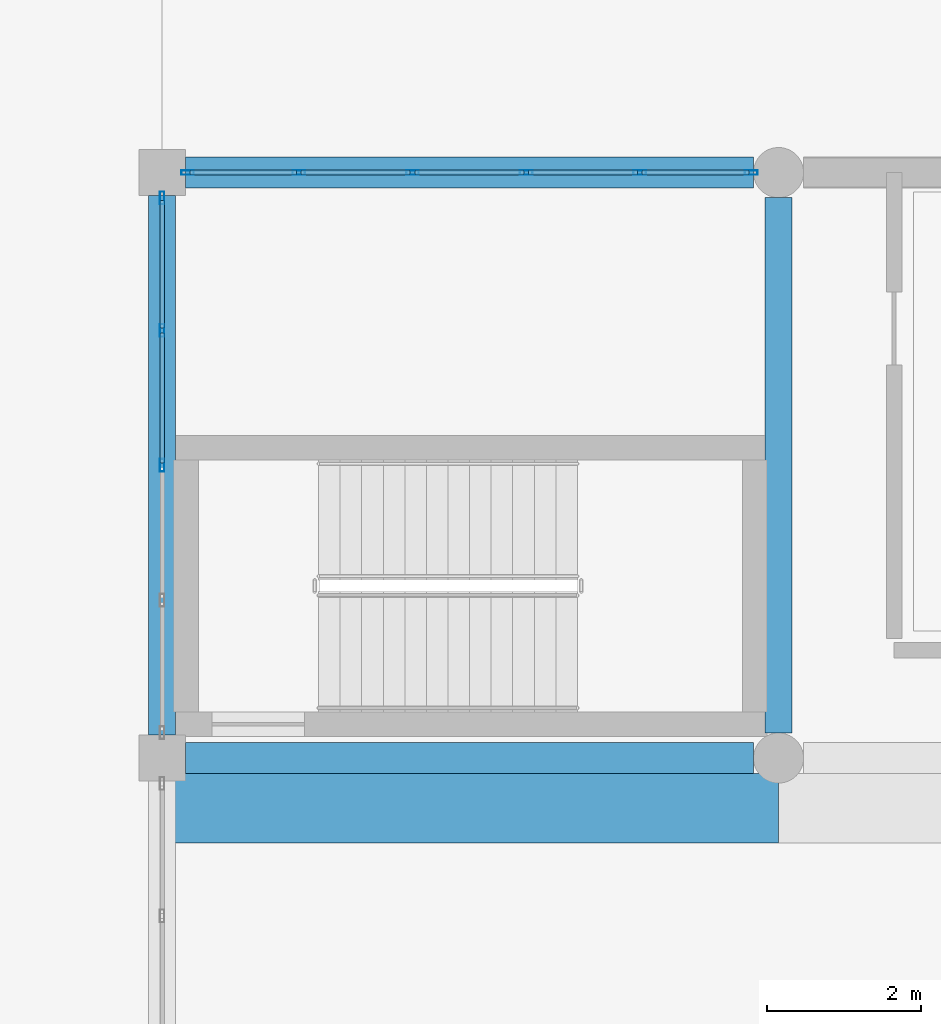
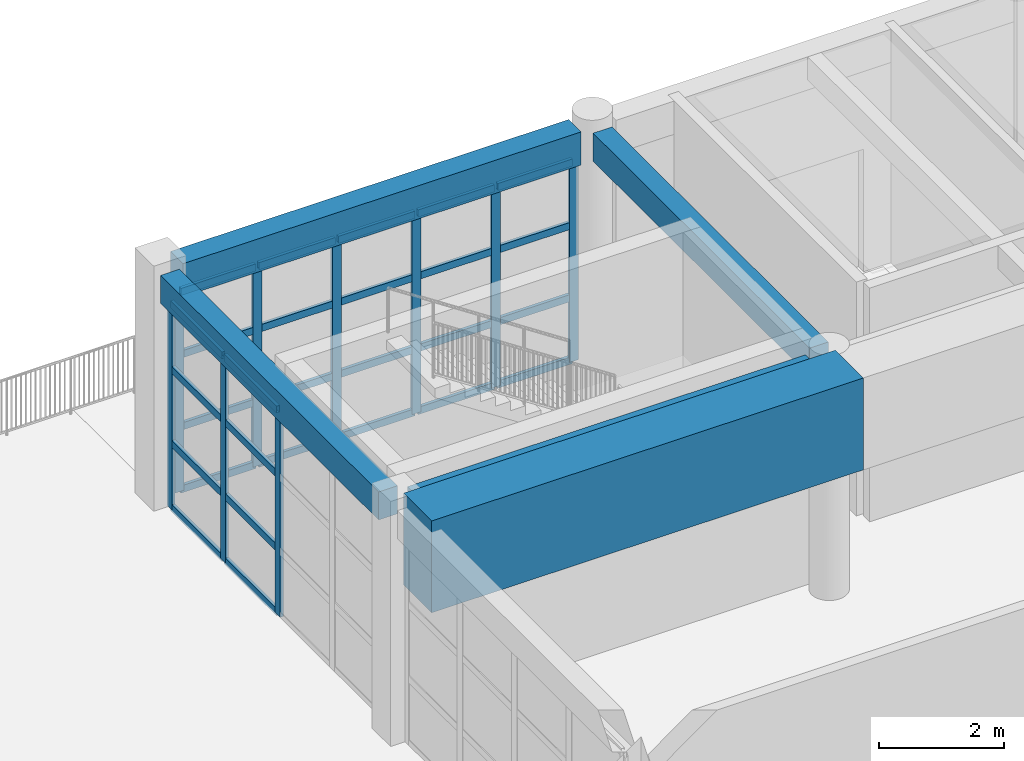
# One storey, part 10 of 32: 37 members, 5 beams, 2 elements without a shape of their own.
"""IFC4 building model written with IfcOpenShell, lengths in metres."""

from ifc_helpers import new_model, si_unit, direction, frame, origin, origin_2d, place, context, subcontext, project, spatial, rectangle, hollow_rectangle, extrude, material, material_profile, profile_set, type_object, element, aggregate, save


model = new_model("IFC4")

# Units and contexts
model_context = context("Model", 3, precision=1e-05, world=origin(), true_north=direction((0.0, 1.0)))
body_context = subcontext(model_context, "Body", "Model", "MODEL_VIEW")
ifc_project = project(units=[si_unit("LENGTHUNIT", "METRE"), si_unit("AREAUNIT", "SQUARE_METRE"), si_unit("VOLUMEUNIT", "CUBIC_METRE"), si_unit("PLANEANGLEUNIT", "RADIAN"), si_unit("MASSUNIT", "GRAM", prefix="KILO")], contexts=[model_context])

# Site, building, storey
site_placement = place(None, origin())
site = spatial("IfcSite", under=ifc_project, at=site_placement, CompositionType="ELEMENT")
building_placement = place(site_placement, origin())
building = spatial("IfcBuilding", under=site, at=building_placement, Name="Zantavel Square City Hall", CompositionType="ELEMENT")
storey_placement = place(building_placement, frame((0.0, 0.0, 23.699951171875)))
storey = spatial("IfcBuildingStorey", under=building, at=storey_placement, Name="L06", CompositionType="ELEMENT", Elevation=23.699951171875)

# Curtain wall, members
ifc_material_1 = material(Name="Anodised aluminium 6063-T6", Category="aluminium")
curtain_wall_type_1 = type_object("IfcCurtainWallType", Name="Curtain Wall TRV1 7000x4030", PredefinedType="USERDEFINED", material=ifc_material_1)
curtain_wall_1_placement = place(storey_placement, origin())
curtain_wall_1 = element("IfcCurtainWall", 1, at=curtain_wall_1_placement, inside=storey, type_object=curtain_wall_type_1, Name="L06 Glazed Curtain Wall CW-L06-145", ObjectType="GLAZED CURTAIN WALL", PredefinedType="USERDEFINED")
ifc_material_profile_1 = material_profile(ifc_material_1, hollow_rectangle(XDim=0.06005859375, YDim=0.1650390625, WallThickness=0.00390625, at=origin_2d()), Name="ALU 60x165x4")
ifc_profile_set_1 = profile_set([ifc_material_profile_1], Name="Anodised aluminium 6063-T6")
member_type_1 = type_object("IfcMemberType", Name="CW Council Gallery Mullion ALU 60x165x4", PredefinedType="MULLION", material=ifc_profile_set_1)
member_1_placement = place(storey_placement, frame((64.0, 64.60009765625, 0.0), z_axis=(0.0, 0.0, 1.0), x_axis=(-1.0, 0.0, 0.0)))
member_1 = element("IfcMember", 2, at=member_1_placement, type_object=member_type_1, Name="CW-145 mullion 3", PredefinedType="MULLION", context=body_context, shape_type="SweptSolid", body=[
    extrude(hollow_rectangle(XDim=0.06005859375, YDim=0.1650390625, WallThickness=0.00390625, at=origin_2d()), origin(), (0.0, 0.0, 1.0), 4.030029296875),
])
member_2_placement = place(storey_placement, frame((64.0, 66.35009765625, 0.0), z_axis=(0.0, 0.0, 1.0), x_axis=(-1.0, 0.0, 0.0)))
member_2 = element("IfcMember", 3, at=member_2_placement, type_object=member_type_1, Name="CW-145 mullion 4", PredefinedType="MULLION", context=body_context, shape_type="SweptSolid", body=[
    extrude(hollow_rectangle(XDim=0.06005859375, YDim=0.1650390625, WallThickness=0.00390625, at=origin_2d()), origin(), (0.0, 0.0, 1.0), 4.030029296875),
])
member_3_placement = place(storey_placement, frame((64.0, 68.070068359375, 0.0), z_axis=(0.0, 0.0, 1.0), x_axis=(-1.0, 0.0, 0.0)))
member_3 = element("IfcMember", 4, at=member_3_placement, type_object=member_type_1, Name="CW-145 mullion 5", PredefinedType="MULLION", context=body_context, shape_type="SweptSolid", body=[
    extrude(hollow_rectangle(XDim=0.06005859375, YDim=0.1650390625, WallThickness=0.00390625, at=origin_2d()), origin(), (0.0, 0.0, 1.0), 4.030029296875),
])

curtain_wall_type_2 = type_object("IfcCurtainWallType", Name="Curtain Wall TRV1 7375x3930", PredefinedType="USERDEFINED", material=ifc_material_1)
curtain_wall_2_placement = place(storey_placement, origin())
curtain_wall_2 = element("IfcCurtainWall", 5, at=curtain_wall_2_placement, inside=storey, type_object=curtain_wall_type_2, Name="L06 Glazed Curtain Wall CW-L06-146", ObjectType="GLAZED CURTAIN WALL", PredefinedType="USERDEFINED")
member_4_placement = place(storey_placement, frame((64.330078125, 68.39990234375, 0.0), z_axis=(0.0, 0.0, 1.0), x_axis=(0.0, 1.0, 0.0)))
member_4 = element("IfcMember", 6, at=member_4_placement, type_object=member_type_1, Name="CW-146 mullion 1", PredefinedType="MULLION", context=body_context, shape_type="SweptSolid", body=[
    extrude(hollow_rectangle(XDim=0.06005859375, YDim=0.1650390625, WallThickness=0.00390625, at=origin_2d()), origin(), (0.0, 0.0, 1.0), 3.929931640625),
])
member_5_placement = place(storey_placement, frame((65.77490234375, 68.39990234375, 0.0), z_axis=(0.0, 0.0, 1.0), x_axis=(0.0, 1.0, 0.0)))
member_5 = element("IfcMember", 7, at=member_5_placement, type_object=member_type_1, Name="CW-146 mullion 2", PredefinedType="MULLION", context=body_context, shape_type="SweptSolid", body=[
    extrude(hollow_rectangle(XDim=0.06005859375, YDim=0.1650390625, WallThickness=0.00390625, at=origin_2d()), origin(), (0.0, 0.0, 1.0), 3.929931640625),
])
member_6_placement = place(storey_placement, frame((67.25, 68.39990234375, 0.0), z_axis=(0.0, 0.0, 1.0), x_axis=(0.0, 1.0, 0.0)))
member_6 = element("IfcMember", 8, at=member_6_placement, type_object=member_type_1, Name="CW-146 mullion 3", PredefinedType="MULLION", context=body_context, shape_type="SweptSolid", body=[
    extrude(hollow_rectangle(XDim=0.06005859375, YDim=0.1650390625, WallThickness=0.00390625, at=origin_2d()), origin(), (0.0, 0.0, 1.0), 3.929931640625),
])
member_7_placement = place(storey_placement, frame((68.72509765625, 68.39990234375, 0.0), z_axis=(0.0, 0.0, 1.0), x_axis=(0.0, 1.0, 0.0)))
member_7 = element("IfcMember", 9, at=member_7_placement, type_object=member_type_1, Name="CW-146 mullion 4", PredefinedType="MULLION", context=body_context, shape_type="SweptSolid", body=[
    extrude(hollow_rectangle(XDim=0.06005859375, YDim=0.1650390625, WallThickness=0.00390625, at=origin_2d()), origin(), (0.0, 0.0, 1.0), 3.929931640625),
])
member_8_placement = place(storey_placement, frame((70.199951171875, 68.39990234375, 0.0), z_axis=(0.0, 0.0, 1.0), x_axis=(0.0, 1.0, 0.0)))
member_8 = element("IfcMember", 10, at=member_8_placement, type_object=member_type_1, Name="CW-146 mullion 5", PredefinedType="MULLION", context=body_context, shape_type="SweptSolid", body=[
    extrude(hollow_rectangle(XDim=0.06005859375, YDim=0.1650390625, WallThickness=0.00390625, at=origin_2d()), origin(), (0.0, 0.0, 1.0), 3.929931640625),
])
member_9_placement = place(storey_placement, frame((71.64501953125, 68.39990234375, 0.0), z_axis=(0.0, 0.0, 1.0), x_axis=(0.0, 1.0, 0.0)))
member_9 = element("IfcMember", 11, at=member_9_placement, type_object=member_type_1, Name="CW-146 mullion 6", PredefinedType="MULLION", context=body_context, shape_type="SweptSolid", body=[
    extrude(hollow_rectangle(XDim=0.06005859375, YDim=0.1650390625, WallThickness=0.00390625, at=origin_2d()), origin(), (0.0, 0.0, 1.0), 3.929931640625),
])

# Member
ifc_material_profile_2 = material_profile(ifc_material_1, hollow_rectangle(XDim=0.06005859375, YDim=0.139892578125, WallThickness=0.00390625, at=origin_2d()), Name="ALU 60x140x4")
ifc_profile_set_2 = profile_set([ifc_material_profile_2], Name="Anodised aluminium 6063-T6")
member_type_2 = type_object("IfcMemberType", Name="CW Transom ALU 60x140x4", PredefinedType="USERDEFINED", material=ifc_profile_set_2)
member_10_placement = place(storey_placement, frame((64.0, 64.6298828125, 0.030029296875), z_axis=(0.0, 1.0, 0.0), x_axis=(-1.0, 0.0, 0.0)))
member_10 = element("IfcMember", 12, at=member_10_placement, type_object=member_type_2, Name="CW-145 transom 3.1", ObjectType="TRANSOM", PredefinedType="USERDEFINED", context=body_context, shape_type="SweptSolid", body=[
    extrude(hollow_rectangle(XDim=0.06005859375, YDim=0.139892578125, WallThickness=0.00390625, at=origin_2d()), origin(), (0.0, 0.0, 1.0), 1.690185546875),
])

member_11_placement = place(storey_placement, frame((64.0, 64.6298828125, 1.2900390625), z_axis=(0.0, 1.0, 0.0), x_axis=(-1.0, 0.0, 0.0)))
member_11 = element("IfcMember", 13, at=member_11_placement, type_object=member_type_2, Name="CW-145 transom 3.2", ObjectType="TRANSOM", PredefinedType="USERDEFINED", context=body_context, shape_type="SweptSolid", body=[
    extrude(hollow_rectangle(XDim=0.06005859375, YDim=0.139892578125, WallThickness=0.00390625, at=origin_2d()), origin(), (0.0, 0.0, 1.0), 1.690185546875),
])

member_12_placement = place(storey_placement, frame((64.0, 64.6298828125, 2.739990234375), z_axis=(0.0, 1.0, 0.0), x_axis=(-1.0, 0.0, 0.0)))
member_12 = element("IfcMember", 14, at=member_12_placement, type_object=member_type_2, Name="CW-145 transom 3.3", ObjectType="TRANSOM", PredefinedType="USERDEFINED", context=body_context, shape_type="SweptSolid", body=[
    extrude(hollow_rectangle(XDim=0.06005859375, YDim=0.139892578125, WallThickness=0.00390625, at=origin_2d()), origin(), (0.0, 0.0, 1.0), 1.690185546875),
])

member_13_placement = place(storey_placement, frame((64.0, 64.6298828125, 4.0), z_axis=(0.0, 1.0, 0.0), x_axis=(-1.0, 0.0, 0.0)))
member_13 = element("IfcMember", 15, at=member_13_placement, type_object=member_type_2, Name="CW-145 transom 3.4", ObjectType="TRANSOM", PredefinedType="USERDEFINED", context=body_context, shape_type="SweptSolid", body=[
    extrude(hollow_rectangle(XDim=0.06005859375, YDim=0.139892578125, WallThickness=0.00390625, at=origin_2d()), origin(), (0.0, 0.0, 1.0), 1.690185546875),
])

member_14_placement = place(storey_placement, frame((64.0, 66.3798828125, 0.030029296875), z_axis=(0.0, 1.0, 0.0), x_axis=(-1.0, 0.0, 0.0)))
member_14 = element("IfcMember", 16, at=member_14_placement, type_object=member_type_2, Name="CW-145 transom 4.1", ObjectType="TRANSOM", PredefinedType="USERDEFINED", context=body_context, shape_type="SweptSolid", body=[
    extrude(hollow_rectangle(XDim=0.06005859375, YDim=0.139892578125, WallThickness=0.00390625, at=origin_2d()), origin(), (0.0, 0.0, 1.0), 1.66015625),
])

member_15_placement = place(storey_placement, frame((64.0, 66.3798828125, 1.2900390625), z_axis=(0.0, 1.0, 0.0), x_axis=(-1.0, 0.0, 0.0)))
member_15 = element("IfcMember", 17, at=member_15_placement, type_object=member_type_2, Name="CW-145 transom 4.2", ObjectType="TRANSOM", PredefinedType="USERDEFINED", context=body_context, shape_type="SweptSolid", body=[
    extrude(hollow_rectangle(XDim=0.06005859375, YDim=0.139892578125, WallThickness=0.00390625, at=origin_2d()), origin(), (0.0, 0.0, 1.0), 1.66015625),
])

member_16_placement = place(storey_placement, frame((64.0, 66.3798828125, 2.739990234375), z_axis=(0.0, 1.0, 0.0), x_axis=(-1.0, 0.0, 0.0)))
member_16 = element("IfcMember", 18, at=member_16_placement, type_object=member_type_2, Name="CW-145 transom 4.3", ObjectType="TRANSOM", PredefinedType="USERDEFINED", context=body_context, shape_type="SweptSolid", body=[
    extrude(hollow_rectangle(XDim=0.06005859375, YDim=0.139892578125, WallThickness=0.00390625, at=origin_2d()), origin(), (0.0, 0.0, 1.0), 1.66015625),
])

member_17_placement = place(storey_placement, frame((64.0, 66.3798828125, 4.0), z_axis=(0.0, 1.0, 0.0), x_axis=(-1.0, 0.0, 0.0)))
member_17 = element("IfcMember", 19, at=member_17_placement, type_object=member_type_2, Name="CW-145 transom 4.4", ObjectType="TRANSOM", PredefinedType="USERDEFINED", context=body_context, shape_type="SweptSolid", body=[
    extrude(hollow_rectangle(XDim=0.06005859375, YDim=0.139892578125, WallThickness=0.00390625, at=origin_2d()), origin(), (0.0, 0.0, 1.0), 1.66015625),
])

aggregate(curtain_wall_1, [member_1, member_2, member_3, member_10, member_11, member_12, member_13, member_14, member_15, member_16, member_17])

member_18_placement = place(storey_placement, frame((64.360107421875, 68.39990234375, 0.030029296875), z_axis=(1.0, 0.0, 0.0), x_axis=(0.0, 1.0, 0.0)))
member_18 = element("IfcMember", 20, at=member_18_placement, type_object=member_type_2, Name="CW-146 transom 1.1", ObjectType="TRANSOM", PredefinedType="USERDEFINED", context=body_context, shape_type="SweptSolid", body=[
    extrude(hollow_rectangle(XDim=0.06005859375, YDim=0.139892578125, WallThickness=0.00390625, at=origin_2d()), origin(), (0.0, 0.0, 1.0), 1.385009765625),
])

member_19_placement = place(storey_placement, frame((64.360107421875, 68.39990234375, 1.258056640625), z_axis=(1.0, 0.0, 0.0), x_axis=(0.0, 1.0, 0.0)))
member_19 = element("IfcMember", 21, at=member_19_placement, type_object=member_type_2, Name="CW-146 transom 1.2", ObjectType="TRANSOM", PredefinedType="USERDEFINED", context=body_context, shape_type="SweptSolid", body=[
    extrude(hollow_rectangle(XDim=0.06005859375, YDim=0.139892578125, WallThickness=0.00390625, at=origin_2d()), origin(), (0.0, 0.0, 1.0), 1.385009765625),
])

member_20_placement = place(storey_placement, frame((64.360107421875, 68.39990234375, 2.672119140625), z_axis=(1.0, 0.0, 0.0), x_axis=(0.0, 1.0, 0.0)))
member_20 = element("IfcMember", 22, at=member_20_placement, type_object=member_type_2, Name="CW-146 transom 1.3", ObjectType="TRANSOM", PredefinedType="USERDEFINED", context=body_context, shape_type="SweptSolid", body=[
    extrude(hollow_rectangle(XDim=0.06005859375, YDim=0.139892578125, WallThickness=0.00390625, at=origin_2d()), origin(), (0.0, 0.0, 1.0), 1.385009765625),
])

member_21_placement = place(storey_placement, frame((64.360107421875, 68.39990234375, 3.900146484375), z_axis=(1.0, 0.0, 0.0), x_axis=(0.0, 1.0, 0.0)))
member_21 = element("IfcMember", 23, at=member_21_placement, type_object=member_type_2, Name="CW-146 transom 1.4", ObjectType="TRANSOM", PredefinedType="USERDEFINED", context=body_context, shape_type="SweptSolid", body=[
    extrude(hollow_rectangle(XDim=0.06005859375, YDim=0.139892578125, WallThickness=0.00390625, at=origin_2d()), origin(), (0.0, 0.0, 1.0), 1.385009765625),
])

member_22_placement = place(storey_placement, frame((65.804931640625, 68.39990234375, 0.030029296875), z_axis=(1.0, 0.0, 0.0), x_axis=(0.0, 1.0, 0.0)))
member_22 = element("IfcMember", 24, at=member_22_placement, type_object=member_type_2, Name="CW-146 transom 2.1", ObjectType="TRANSOM", PredefinedType="USERDEFINED", context=body_context, shape_type="SweptSolid", body=[
    extrude(hollow_rectangle(XDim=0.06005859375, YDim=0.139892578125, WallThickness=0.00390625, at=origin_2d()), origin(), (0.0, 0.0, 1.0), 1.4150390625),
])

member_23_placement = place(storey_placement, frame((65.804931640625, 68.39990234375, 1.258056640625), z_axis=(1.0, 0.0, 0.0), x_axis=(0.0, 1.0, 0.0)))
member_23 = element("IfcMember", 25, at=member_23_placement, type_object=member_type_2, Name="CW-146 transom 2.2", ObjectType="TRANSOM", PredefinedType="USERDEFINED", context=body_context, shape_type="SweptSolid", body=[
    extrude(hollow_rectangle(XDim=0.06005859375, YDim=0.139892578125, WallThickness=0.00390625, at=origin_2d()), origin(), (0.0, 0.0, 1.0), 1.4150390625),
])

member_24_placement = place(storey_placement, frame((65.804931640625, 68.39990234375, 2.672119140625), z_axis=(1.0, 0.0, 0.0), x_axis=(0.0, 1.0, 0.0)))
member_24 = element("IfcMember", 26, at=member_24_placement, type_object=member_type_2, Name="CW-146 transom 2.3", ObjectType="TRANSOM", PredefinedType="USERDEFINED", context=body_context, shape_type="SweptSolid", body=[
    extrude(hollow_rectangle(XDim=0.06005859375, YDim=0.139892578125, WallThickness=0.00390625, at=origin_2d()), origin(), (0.0, 0.0, 1.0), 1.4150390625),
])

member_25_placement = place(storey_placement, frame((65.804931640625, 68.39990234375, 3.900146484375), z_axis=(1.0, 0.0, 0.0), x_axis=(0.0, 1.0, 0.0)))
member_25 = element("IfcMember", 27, at=member_25_placement, type_object=member_type_2, Name="CW-146 transom 2.4", ObjectType="TRANSOM", PredefinedType="USERDEFINED", context=body_context, shape_type="SweptSolid", body=[
    extrude(hollow_rectangle(XDim=0.06005859375, YDim=0.139892578125, WallThickness=0.00390625, at=origin_2d()), origin(), (0.0, 0.0, 1.0), 1.4150390625),
])

member_26_placement = place(storey_placement, frame((67.280029296875, 68.39990234375, 0.030029296875), z_axis=(1.0, 0.0, 0.0), x_axis=(0.0, 1.0, 0.0)))
member_26 = element("IfcMember", 28, at=member_26_placement, type_object=member_type_2, Name="CW-146 transom 3.1", ObjectType="TRANSOM", PredefinedType="USERDEFINED", context=body_context, shape_type="SweptSolid", body=[
    extrude(hollow_rectangle(XDim=0.06005859375, YDim=0.139892578125, WallThickness=0.00390625, at=origin_2d()), origin(), (0.0, 0.0, 1.0), 1.4150390625),
])

member_27_placement = place(storey_placement, frame((67.280029296875, 68.39990234375, 1.258056640625), z_axis=(1.0, 0.0, 0.0), x_axis=(0.0, 1.0, 0.0)))
member_27 = element("IfcMember", 29, at=member_27_placement, type_object=member_type_2, Name="CW-146 transom 3.2", ObjectType="TRANSOM", PredefinedType="USERDEFINED", context=body_context, shape_type="SweptSolid", body=[
    extrude(hollow_rectangle(XDim=0.06005859375, YDim=0.139892578125, WallThickness=0.00390625, at=origin_2d()), origin(), (0.0, 0.0, 1.0), 1.4150390625),
])

member_28_placement = place(storey_placement, frame((67.280029296875, 68.39990234375, 2.672119140625), z_axis=(1.0, 0.0, 0.0), x_axis=(0.0, 1.0, 0.0)))
member_28 = element("IfcMember", 30, at=member_28_placement, type_object=member_type_2, Name="CW-146 transom 3.3", ObjectType="TRANSOM", PredefinedType="USERDEFINED", context=body_context, shape_type="SweptSolid", body=[
    extrude(hollow_rectangle(XDim=0.06005859375, YDim=0.139892578125, WallThickness=0.00390625, at=origin_2d()), origin(), (0.0, 0.0, 1.0), 1.4150390625),
])

member_29_placement = place(storey_placement, frame((67.280029296875, 68.39990234375, 3.900146484375), z_axis=(1.0, 0.0, 0.0), x_axis=(0.0, 1.0, 0.0)))
member_29 = element("IfcMember", 31, at=member_29_placement, type_object=member_type_2, Name="CW-146 transom 3.4", ObjectType="TRANSOM", PredefinedType="USERDEFINED", context=body_context, shape_type="SweptSolid", body=[
    extrude(hollow_rectangle(XDim=0.06005859375, YDim=0.139892578125, WallThickness=0.00390625, at=origin_2d()), origin(), (0.0, 0.0, 1.0), 1.4150390625),
])

member_30_placement = place(storey_placement, frame((68.7548828125, 68.39990234375, 0.030029296875), z_axis=(1.0, 0.0, 0.0), x_axis=(0.0, 1.0, 0.0)))
member_30 = element("IfcMember", 32, at=member_30_placement, type_object=member_type_2, Name="CW-146 transom 4.1", ObjectType="TRANSOM", PredefinedType="USERDEFINED", context=body_context, shape_type="SweptSolid", body=[
    extrude(hollow_rectangle(XDim=0.06005859375, YDim=0.139892578125, WallThickness=0.00390625, at=origin_2d()), origin(), (0.0, 0.0, 1.0), 1.4150390625),
])

member_31_placement = place(storey_placement, frame((68.7548828125, 68.39990234375, 1.258056640625), z_axis=(1.0, 0.0, 0.0), x_axis=(0.0, 1.0, 0.0)))
member_31 = element("IfcMember", 33, at=member_31_placement, type_object=member_type_2, Name="CW-146 transom 4.2", ObjectType="TRANSOM", PredefinedType="USERDEFINED", context=body_context, shape_type="SweptSolid", body=[
    extrude(hollow_rectangle(XDim=0.06005859375, YDim=0.139892578125, WallThickness=0.00390625, at=origin_2d()), origin(), (0.0, 0.0, 1.0), 1.4150390625),
])

member_32_placement = place(storey_placement, frame((68.7548828125, 68.39990234375, 2.672119140625), z_axis=(1.0, 0.0, 0.0), x_axis=(0.0, 1.0, 0.0)))
member_32 = element("IfcMember", 34, at=member_32_placement, type_object=member_type_2, Name="CW-146 transom 4.3", ObjectType="TRANSOM", PredefinedType="USERDEFINED", context=body_context, shape_type="SweptSolid", body=[
    extrude(hollow_rectangle(XDim=0.06005859375, YDim=0.139892578125, WallThickness=0.00390625, at=origin_2d()), origin(), (0.0, 0.0, 1.0), 1.4150390625),
])

member_33_placement = place(storey_placement, frame((68.7548828125, 68.39990234375, 3.900146484375), z_axis=(1.0, 0.0, 0.0), x_axis=(0.0, 1.0, 0.0)))
member_33 = element("IfcMember", 35, at=member_33_placement, type_object=member_type_2, Name="CW-146 transom 4.4", ObjectType="TRANSOM", PredefinedType="USERDEFINED", context=body_context, shape_type="SweptSolid", body=[
    extrude(hollow_rectangle(XDim=0.06005859375, YDim=0.139892578125, WallThickness=0.00390625, at=origin_2d()), origin(), (0.0, 0.0, 1.0), 1.4150390625),
])

member_34_placement = place(storey_placement, frame((70.22998046875, 68.39990234375, 0.030029296875), z_axis=(1.0, 0.0, 0.0), x_axis=(0.0, 1.0, 0.0)))
member_34 = element("IfcMember", 36, at=member_34_placement, type_object=member_type_2, Name="CW-146 transom 5.1", ObjectType="TRANSOM", PredefinedType="USERDEFINED", context=body_context, shape_type="SweptSolid", body=[
    extrude(hollow_rectangle(XDim=0.06005859375, YDim=0.139892578125, WallThickness=0.00390625, at=origin_2d()), origin(), (0.0, 0.0, 1.0), 1.385009765625),
])

member_35_placement = place(storey_placement, frame((70.22998046875, 68.39990234375, 1.258056640625), z_axis=(1.0, 0.0, 0.0), x_axis=(0.0, 1.0, 0.0)))
member_35 = element("IfcMember", 37, at=member_35_placement, type_object=member_type_2, Name="CW-146 transom 5.2", ObjectType="TRANSOM", PredefinedType="USERDEFINED", context=body_context, shape_type="SweptSolid", body=[
    extrude(hollow_rectangle(XDim=0.06005859375, YDim=0.139892578125, WallThickness=0.00390625, at=origin_2d()), origin(), (0.0, 0.0, 1.0), 1.385009765625),
])

member_36_placement = place(storey_placement, frame((70.22998046875, 68.39990234375, 2.672119140625), z_axis=(1.0, 0.0, 0.0), x_axis=(0.0, 1.0, 0.0)))
member_36 = element("IfcMember", 38, at=member_36_placement, type_object=member_type_2, Name="CW-146 transom 5.3", ObjectType="TRANSOM", PredefinedType="USERDEFINED", context=body_context, shape_type="SweptSolid", body=[
    extrude(hollow_rectangle(XDim=0.06005859375, YDim=0.139892578125, WallThickness=0.00390625, at=origin_2d()), origin(), (0.0, 0.0, 1.0), 1.385009765625),
])

member_37_placement = place(storey_placement, frame((70.22998046875, 68.39990234375, 3.900146484375), z_axis=(1.0, 0.0, 0.0), x_axis=(0.0, 1.0, 0.0)))
member_37 = element("IfcMember", 39, at=member_37_placement, type_object=member_type_2, Name="CW-146 transom 5.4", ObjectType="TRANSOM", PredefinedType="USERDEFINED", context=body_context, shape_type="SweptSolid", body=[
    extrude(hollow_rectangle(XDim=0.06005859375, YDim=0.139892578125, WallThickness=0.00390625, at=origin_2d()), origin(), (0.0, 0.0, 1.0), 1.385009765625),
])

aggregate(curtain_wall_2, [member_4, member_5, member_6, member_7, member_8, member_9, member_18, member_19, member_20, member_21, member_22, member_23, member_24, member_25, member_26, member_27, member_28, member_29, member_30, member_31, member_32, member_33, member_34, member_35, member_36, member_37])

# Beams
ifc_material_2 = material(Name="Concrete C35/45", Category="concrete")
ifc_material_profile_3 = material_profile(ifc_material_2, rectangle(XDim=0.39990234375, YDim=0.64990234375, at=origin_2d()), Name="RC 400x650")
ifc_profile_set_3 = profile_set([ifc_material_profile_3], Name="Concrete C35/45")
beam_type_1 = type_object("IfcBeamType", Name="Frame Beam RC 400x650 C35/45", PredefinedType="BEAM", material=ifc_profile_set_3)
for number, where, z_axis, x_axis, name in (
    (40, (64.300048828125, 60.800048828125, 4.255126953125), (1.0, 0.0, 0.0), (0.0, 1.0, 0.0), "L06 Girder BMX-L06-0640-0608"),
    (41, (64.300048828125, 68.39990234375, 4.255126953125), (1.0, 0.0, 0.0), (0.0, 1.0, 0.0), "L06 Girder BMX-L06-0640-0684"),
):
    element("IfcBeam", number, at=place(storey_placement, frame(where, z_axis=z_axis, x_axis=x_axis)), inside=storey, type_object=beam_type_1, Name=name, PredefinedType="BEAM", context=body_context, shape_type="SweptSolid", body=[
        extrude(rectangle(XDim=0.39990234375, YDim=0.64990234375, at=origin_2d()), origin(), (0.0, 0.0, 1.0), 7.375),
    ])
ifc_material_profile_4 = material_profile(ifc_material_2, rectangle(XDim=0.35009765625, YDim=0.550048828125, at=origin_2d()), Name="RC 350x550")
ifc_profile_set_4 = profile_set([ifc_material_profile_4], Name="Concrete C35/45")
beam_type_2 = type_object("IfcBeamType", Name="Secondary Beam RC 350x550 C35/45", PredefinedType="BEAM", material=ifc_profile_set_4)
beam_1_placement = place(storey_placement, frame((64.0, 61.10009765625, 4.304931640625), z_axis=(0.0, 1.0, 0.0), x_axis=(-1.0, 0.0, 0.0)))
element("IfcBeam", 42, at=beam_1_placement, inside=storey, type_object=beam_type_2, Name="L06 Beam BMY-L06-0640-0608", PredefinedType="BEAM", context=body_context, shape_type="SweptSolid", body=[
    extrude(rectangle(XDim=0.35009765625, YDim=0.550048828125, at=origin_2d()), origin(), (0.0, 0.0, 1.0), 7.0),
])
beam_2_placement = place(storey_placement, frame((72.0, 61.125, 4.304931640625), z_axis=(0.0, 1.0, 0.0), x_axis=(-1.0, 0.0, 0.0)))
element("IfcBeam", 43, at=beam_2_placement, inside=storey, type_object=beam_type_2, Name="L06 Beam BMY-L06-0720-0608", PredefinedType="BEAM", context=body_context, shape_type="SweptSolid", body=[
    extrude(rectangle(XDim=0.35009765625, YDim=0.550048828125, at=origin_2d()), origin(), (0.0, 0.0, 1.0), 6.949951171875),
])
ifc_material_3 = material(Name="Concrete C40/50", Category="concrete")
ifc_material_profile_5 = material_profile(ifc_material_3, rectangle(XDim=0.89990234375, YDim=1.800048828125, at=origin_2d()), Name="RC 900x1800")
ifc_profile_set_5 = profile_set([ifc_material_profile_5], Name="Concrete C40/50")
beam_type_3 = type_object("IfcBeamType", Name="Transfer Girder RC 900x1800 C40/50", PredefinedType="BEAM", material=ifc_profile_set_5)
beam_3_placement = place(storey_placement, frame((64.0, 60.14990234375, 3.900146484375), z_axis=(1.0, 0.0, 0.0), x_axis=(0.0, 1.0, 0.0)))
element("IfcBeam", 44, at=beam_3_placement, inside=storey, type_object=beam_type_3, Name="Vault Thrust Transfer Girder N-1", PredefinedType="BEAM", context=body_context, shape_type="SweptSolid", body=[
    extrude(rectangle(XDim=0.89990234375, YDim=1.800048828125, at=origin_2d()), origin(), (0.0, 0.0, 1.0), 8.0),
])

save(model, "model.ifc")
